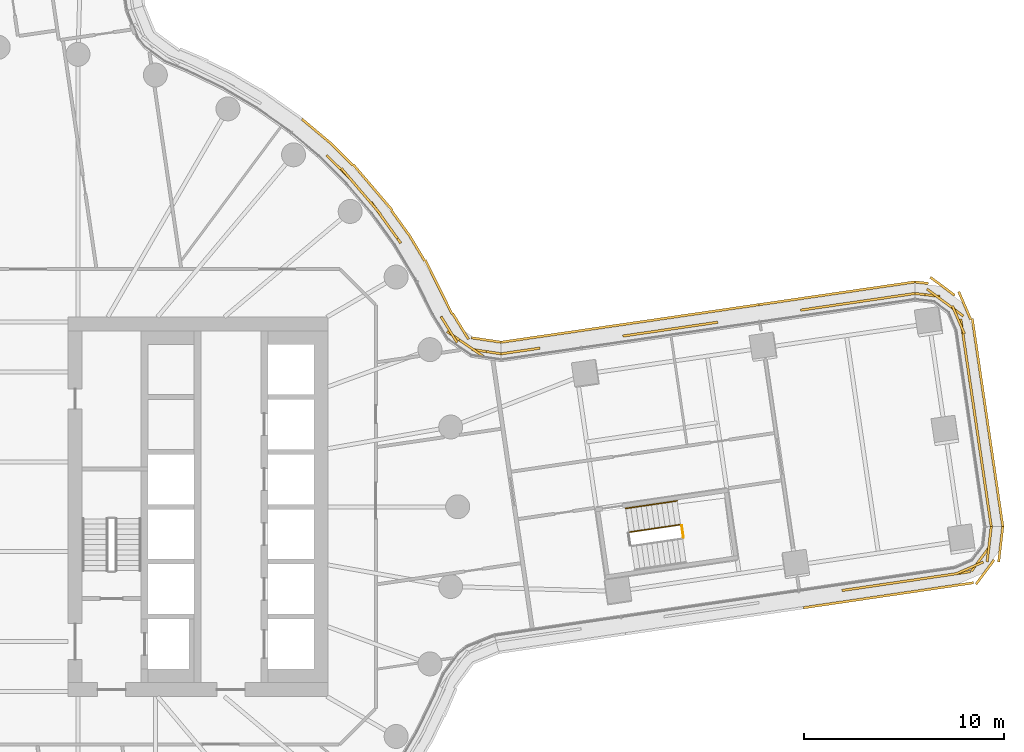
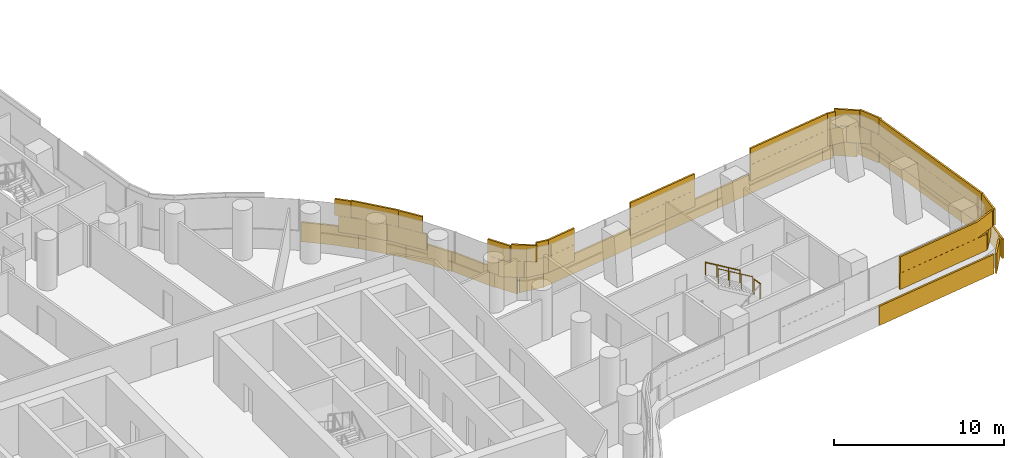
# One storey, part 29 of 31: 5 coverings, 3 railings.
"""IFC4 building model written with IfcOpenShell, lengths in metres."""

from ifc_helpers import new_model, si_unit, direction, frame, origin, origin_2d, place, context, subcontext, project, spatial, rectangle, circle, extrude, material, layer, layer_set, type_object, element, save


model = new_model("IFC4")

# Units and contexts
model_context = context("Model", 3, precision=1e-05, world=origin(), true_north=direction((0.0, 1.0)))
body_context = subcontext(model_context, "Body", "Model", "MODEL_VIEW")
ifc_project = project(units=[si_unit("LENGTHUNIT", "METRE"), si_unit("AREAUNIT", "SQUARE_METRE"), si_unit("VOLUMEUNIT", "CUBIC_METRE"), si_unit("PLANEANGLEUNIT", "RADIAN"), si_unit("MASSUNIT", "GRAM", prefix="KILO")], contexts=[model_context])

# Site, building, storey
site_placement = place(None, origin())
site = spatial("IfcSite", under=ifc_project, at=site_placement, CompositionType="ELEMENT")
building_placement = place(site_placement, origin())
building = spatial("IfcBuilding", under=site, at=building_placement, Name="Tamarind Cross Interchange Tower", CompositionType="ELEMENT")
storey_placement = place(building_placement, frame((0.0, 0.0, 64.0)))
storey = spatial("IfcBuildingStorey", under=building, at=storey_placement, Name="L14", CompositionType="ELEMENT", Elevation=64.0)

# Railings
ifc_material_1 = material(Name="Stair guard")
railing_type_1 = type_object("IfcRailingType", Name="Stair guard", PredefinedType="GUARDRAIL", material=ifc_material_1)
railing_1_placement = place(storey_placement, frame((34.302734375, -1.52783203125, 1.875)))
element("IfcRailing", 1, at=railing_1_placement, inside=storey, type_object=railing_type_1, Name="L14 ST3 stair guard 2", PredefinedType="GUARDRAIL", context=body_context, shape_type="SweptSolid", body=[
    extrude(circle(Radius=0.02392578125, at=origin_2d()), frame((0.0, 0.0, 1.076171875), z_axis=(-0.145294801093, 0.989388407439, 0.0), x_axis=(-0.989388407439, -0.145294801093, 0.0)), (0.0, 0.0, 1.0), 0.599853515625),
    extrude(circle(Radius=0.02099609375, at=origin_2d()), origin(), (0.0, 0.0, 1.0), 1.052001953125),
    extrude(circle(Radius=0.02099609375, at=origin_2d()), frame((-0.087158203125, 0.593505859375, 0.0)), (0.0, 0.0, 1.0), 1.052001953125),
])
railing_2_placement = place(storey_placement, frame((34.158935546875, -0.89208984375, 2.04541015625)))
element("IfcRailing", 2, at=railing_2_placement, inside=storey, type_object=railing_type_1, Name="L14 ST3 stair guard 3", PredefinedType="GUARDRAIL", context=body_context, shape_type="SweptSolid", body=[
    extrude(circle(Radius=0.02392578125, at=origin_2d()), frame((0.0, 0.0, 1.076171875), z_axis=(-0.82742322833, -0.121557479117, 0.548265064079), x_axis=(0.145350720335, -0.989380193908, 0.0)), (0.0, 0.0, 1.0), 3.109130859375),
    extrude(circle(Radius=0.02099609375, at=origin_2d()), origin(), (0.0, 0.0, 1.0), 1.052001953125),
    extrude(circle(Radius=0.02099609375, at=origin_2d()), frame((-0.857421875, -0.1259765625, 0.568115234375)), (0.0, 0.0, 1.0), 1.052001953125),
    extrude(circle(Radius=0.02099609375, at=origin_2d()), frame((-1.715087890625, -0.251953125, 1.136474609375)), (0.0, 0.0, 1.0), 1.052001953125),
    extrude(circle(Radius=0.02099609375, at=origin_2d()), frame((-2.572509765625, -0.3779296875, 1.70458984375)), (0.0, 0.0, 1.0), 1.052001953125),
])
ifc_material_2 = material(Name="Stair handrail")
railing_type_2 = type_object("IfcRailingType", Name="Stair handrail", PredefinedType="HANDRAIL", material=ifc_material_2)
railing_3_placement = place(storey_placement, frame((33.984375, 0.295166015625, 2.04541015625)))
element("IfcRailing", 3, at=railing_3_placement, inside=storey, type_object=railing_type_2, Name="L14 ST3 stair handrail 2", PredefinedType="HANDRAIL", context=body_context, shape_type="SweptSolid", body=[
    extrude(circle(Radius=0.02392578125, at=origin_2d()), frame((0.0, 0.0, 0.8759765625), z_axis=(-0.827398461266, -0.121565377566, 0.548300688739), x_axis=(0.145364224463, -0.989378209911, 0.0)), (0.0, 0.0, 1.0), 3.10888671875),
    extrude(circle(Radius=0.02099609375, at=origin_2d()), origin(), (0.0, 0.0, 1.0), 0.851806640625),
    extrude(circle(Radius=0.02099609375, at=origin_2d()), frame((-0.857421875, -0.1259765625, 0.568115234375)), (0.0, 0.0, 1.0), 0.851806640625),
    extrude(circle(Radius=0.02099609375, at=origin_2d()), frame((-1.71484375, -0.251953125, 1.136474609375)), (0.0, 0.0, 1.0), 0.851806640625),
    extrude(circle(Radius=0.02099609375, at=origin_2d()), frame((-2.572265625, -0.3779296875, 1.70458984375)), (0.0, 0.0, 1.0), 0.851806640625),
])

# Coverings
ifc_material_3 = material(Name="Terracotta", Category="masonry")
ifc_layer = layer(ifc_material_3, 0.1201171875)
ifc_layer_set = layer_set([ifc_layer], Name="Terracotta")
covering_type = type_object("IfcCoveringType", Name="Terracotta baguette screen unit", PredefinedType="MOLDING", material=ifc_layer_set)
covering_1_placement = place(storey_placement, origin())
element("IfcCovering", 4, at=covering_1_placement, inside=storey, type_object=covering_type, Name="SCR-L14-07-02", PredefinedType="MOLDING", context=body_context, shape_type="SweptSolid", body=[
    extrude(rectangle(XDim=0.50634765625, YDim=0.1201171875, at=origin_2d()), frame((42.4814453125, -4.15673828125, 1.404052734375), z_axis=(0.0, 0.0, 1.0), x_axis=(0.989378136803, 0.14536472205, 0.0)), (0.0, 0.0, 1.0), 1.1669921875),
    extrude(rectangle(XDim=1.52001953125, YDim=0.1201171875, at=origin_2d()), frame((43.46923828125, -4.01171875, 1.404052734375), z_axis=(0.0, 0.0, 1.0), x_axis=(0.989378136803, 0.14536472205, 0.0)), (0.0, 0.0, 1.0), 1.1669921875),
    extrude(rectangle(XDim=1.52001953125, YDim=0.1201171875, at=origin_2d()), frame((44.953125, -3.793701171875, 1.404052734375), z_axis=(0.0, 0.0, 1.0), x_axis=(0.989378136803, 0.14536472205, 0.0)), (0.0, 0.0, 1.0), 1.1669921875),
    extrude(rectangle(XDim=1.52001953125, YDim=0.1201171875, at=origin_2d()), frame((46.437255859375, -3.57568359375, 1.404052734375), z_axis=(0.0, 0.0, 1.0), x_axis=(0.989378136803, 0.14536472205, 0.0)), (0.0, 0.0, 1.0), 1.1669921875),
    extrude(rectangle(XDim=1.52001953125, YDim=0.1201171875, at=origin_2d()), frame((47.92138671875, -3.357666015625, 1.404052734375), z_axis=(0.0, 0.0, 1.0), x_axis=(0.989378136803, 0.14536472205, 0.0)), (0.0, 0.0, 1.0), 1.1669921875),
    extrude(rectangle(XDim=1.52001953125, YDim=0.1201171875, at=origin_2d()), frame((49.175048828125, -2.61279296875, 1.404052734375), z_axis=(0.0, 0.0, 1.0), x_axis=(0.596807608984, 0.802384370398, 0.0)), (0.0, 0.0, 1.0), 1.1669921875),
    extrude(rectangle(XDim=1.0224609375, YDim=0.1201171875, at=origin_2d()), frame((49.65283203125, -1.4970703125, 1.404052734375), z_axis=(0.0, 0.0, 1.0), x_axis=(0.115658365354, 0.993289052856, 0.0)), (0.0, 0.0, 1.0), 1.1669921875),
    extrude(rectangle(XDim=1.25634765625, YDim=0.1201171875, at=origin_2d()), frame((42.8525390625, -4.102294921875, 2.5791015625), z_axis=(0.0, 0.0, 1.0), x_axis=(0.989378136803, 0.14536472205, 0.0)), (0.0, 0.0, 1.0), 1.1669921875),
    extrude(rectangle(XDim=1.52001953125, YDim=0.1201171875, at=origin_2d()), frame((44.211181640625, -3.90283203125, 2.5791015625), z_axis=(0.0, 0.0, 1.0), x_axis=(0.989378136803, 0.14536472205, 0.0)), (0.0, 0.0, 1.0), 1.1669921875),
    extrude(rectangle(XDim=1.52001953125, YDim=0.1201171875, at=origin_2d()), frame((45.6953125, -3.6845703125, 2.5791015625), z_axis=(0.0, 0.0, 1.0), x_axis=(0.989378136803, 0.14536472205, 0.0)), (0.0, 0.0, 1.0), 1.1669921875),
    extrude(rectangle(XDim=1.52001953125, YDim=0.1201171875, at=origin_2d()), frame((47.179443359375, -3.466552734375, 2.5791015625), z_axis=(0.0, 0.0, 1.0), x_axis=(0.989378136803, 0.14536472205, 0.0)), (0.0, 0.0, 1.0), 1.1669921875),
    extrude(rectangle(XDim=1.52001953125, YDim=0.1201171875, at=origin_2d()), frame((48.612548828125, -3.0693359375, 2.5791015625), z_axis=(0.0, 0.0, 1.0), x_axis=(0.918042735751, 0.396481443872, 0.0)), (0.0, 0.0, 1.0), 1.1669921875),
    extrude(rectangle(XDim=1.52001953125, YDim=0.1201171875, at=origin_2d()), frame((49.594482421875, -1.999755859375, 2.5791015625), z_axis=(0.0, 0.0, 1.0), x_axis=(0.115658365354, 0.993289052856, 0.0)), (0.0, 0.0, 1.0), 1.1669921875),
    extrude(rectangle(XDim=0.2724609375, YDim=0.1201171875, at=origin_2d()), frame((49.6962890625, -1.12451171875, 2.5791015625), z_axis=(0.0, 0.0, 1.0), x_axis=(0.115658365354, 0.993289052856, 0.0)), (0.0, 0.0, 1.0), 1.1669921875),
    extrude(rectangle(XDim=1.10205078125, YDim=0.1201171875, at=origin_2d()), frame((40.859375, -4.975341796875, 0.00390625), z_axis=(0.0, 0.0, 1.0), x_axis=(0.989378136803, 0.14536472205, 0.0)), (0.0, 0.0, 1.0), 1.39208984375),
    extrude(rectangle(XDim=1.52001953125, YDim=0.1201171875, at=origin_2d()), frame((42.13671875, -4.78759765625, 0.00390625), z_axis=(0.0, 0.0, 1.0), x_axis=(0.989378136803, 0.14536472205, 0.0)), (0.0, 0.0, 1.0), 1.39208984375),
    extrude(rectangle(XDim=1.52001953125, YDim=0.1201171875, at=origin_2d()), frame((43.620849609375, -4.569580078125, 0.00390625), z_axis=(0.0, 0.0, 1.0), x_axis=(0.989378136803, 0.14536472205, 0.0)), (0.0, 0.0, 1.0), 1.39208984375),
    extrude(rectangle(XDim=1.52001953125, YDim=0.1201171875, at=origin_2d()), frame((45.10498046875, -4.3515625, 0.00390625), z_axis=(0.0, 0.0, 1.0), x_axis=(0.989378136803, 0.14536472205, 0.0)), (0.0, 0.0, 1.0), 1.39208984375),
    extrude(rectangle(XDim=1.52001953125, YDim=0.1201171875, at=origin_2d()), frame((46.5888671875, -4.133544921875, 0.00390625), z_axis=(0.0, 0.0, 1.0), x_axis=(0.989378136803, 0.14536472205, 0.0)), (0.0, 0.0, 1.0), 1.39208984375),
    extrude(rectangle(XDim=1.52001953125, YDim=0.1201171875, at=origin_2d()), frame((48.072998046875, -3.91552734375, 0.00390625), z_axis=(0.0, 0.0, 1.0), x_axis=(0.989378136803, 0.14536472205, 0.0)), (0.0, 0.0, 1.0), 1.39208984375),
    extrude(rectangle(XDim=1.52001953125, YDim=0.1201171875, at=origin_2d()), frame((49.403076171875, -3.26806640625, 0.00390625), z_axis=(0.0, 0.0, 1.0), x_axis=(0.596807608984, 0.802384370398, 0.0)), (0.0, 0.0, 1.0), 1.39208984375),
    extrude(rectangle(XDim=1.52001953125, YDim=0.1201171875, at=origin_2d()), frame((50.170654296875, -2.013916015625, 0.00390625), z_axis=(0.0, 0.0, 1.0), x_axis=(0.115658365354, 0.993289052856, 0.0)), (0.0, 0.0, 1.0), 1.39208984375),
    extrude(rectangle(XDim=0.29541015625, YDim=0.1201171875, at=origin_2d()), frame((50.273193359375, -1.13232421875, 0.00390625), z_axis=(0.0, 0.0, 1.0), x_axis=(0.115658365354, 0.993289052856, 0.0)), (0.0, 0.0, 1.0), 1.39208984375),
])
covering_2_placement = place(storey_placement, origin())
element("IfcCovering", 5, at=covering_2_placement, inside=storey, type_object=covering_type, Name="SCR-L14-08-00", PredefinedType="MOLDING", context=body_context, shape_type="SweptSolid", body=[
    extrude(rectangle(XDim=1.510009765625, YDim=0.1201171875, at=origin_2d()), frame((49.6025390625, -0.252197265625, 1.404052734375), z_axis=(0.0, 0.0, 1.0), x_axis=(-0.14536472205, 0.989378136803, 0.0)), (0.0, 0.0, 1.0), 1.1669921875),
    extrude(rectangle(XDim=1.52001953125, YDim=0.1201171875, at=origin_2d()), frame((49.384521484375, 1.23193359375, 1.404052734375), z_axis=(0.0, 0.0, 1.0), x_axis=(-0.14536472205, 0.989378136803, 0.0)), (0.0, 0.0, 1.0), 1.1669921875),
    extrude(rectangle(XDim=1.52001953125, YDim=0.1201171875, at=origin_2d()), frame((49.166259765625, 2.716064453125, 1.404052734375), z_axis=(0.0, 0.0, 1.0), x_axis=(-0.14536472205, 0.989378136803, 0.0)), (0.0, 0.0, 1.0), 1.1669921875),
    extrude(rectangle(XDim=1.52001953125, YDim=0.1201171875, at=origin_2d()), frame((48.9482421875, 4.2001953125, 1.404052734375), z_axis=(0.0, 0.0, 1.0), x_axis=(-0.14536472205, 0.989378136803, 0.0)), (0.0, 0.0, 1.0), 1.1669921875),
    extrude(rectangle(XDim=1.52001953125, YDim=0.1201171875, at=origin_2d()), frame((48.730224609375, 5.68408203125, 1.404052734375), z_axis=(0.0, 0.0, 1.0), x_axis=(-0.14536472205, 0.989378136803, 0.0)), (0.0, 0.0, 1.0), 1.1669921875),
    extrude(rectangle(XDim=1.52001953125, YDim=0.1201171875, at=origin_2d()), frame((48.51220703125, 7.168212890625, 1.404052734375), z_axis=(0.0, 0.0, 1.0), x_axis=(-0.14536472205, 0.989378136803, 0.0)), (0.0, 0.0, 1.0), 1.1669921875),
    extrude(rectangle(XDim=1.52001953125, YDim=0.1201171875, at=origin_2d()), frame((48.294189453125, 8.65234375, 1.404052734375), z_axis=(0.0, 0.0, 1.0), x_axis=(-0.14536472205, 0.989378136803, 0.0)), (0.0, 0.0, 1.0), 1.1669921875),
    extrude(rectangle(XDim=1.52001953125, YDim=0.1201171875, at=origin_2d()), frame((47.705322265625, 9.9990234375, 1.404052734375), z_axis=(0.0, 0.0, 1.0), x_axis=(-0.802384370398, 0.596807608984, 0.0)), (0.0, 0.0, 1.0), 1.1669921875),
    extrude(rectangle(XDim=1.259521484375, YDim=0.1201171875, at=origin_2d()), frame((46.516845703125, 10.604736328125, 1.404052734375), z_axis=(0.0, 0.0, 1.0), x_axis=(-0.993289052856, 0.115658365354, 0.0)), (0.0, 0.0, 1.0), 1.1669921875),
    extrude(rectangle(XDim=0.760009765625, YDim=0.1201171875, at=origin_2d()), frame((49.656982421875, -0.623046875, 2.5791015625), z_axis=(0.0, 0.0, 1.0), x_axis=(-0.14536472205, 0.989378136803, 0.0)), (0.0, 0.0, 1.0), 1.1669921875),
    extrude(rectangle(XDim=1.52001953125, YDim=0.1201171875, at=origin_2d()), frame((49.493408203125, 0.489990234375, 2.5791015625), z_axis=(0.0, 0.0, 1.0), x_axis=(-0.14536472205, 0.989378136803, 0.0)), (0.0, 0.0, 1.0), 1.1669921875),
    extrude(rectangle(XDim=1.52001953125, YDim=0.1201171875, at=origin_2d()), frame((49.275390625, 1.97412109375, 2.5791015625), z_axis=(0.0, 0.0, 1.0), x_axis=(-0.14536472205, 0.989378136803, 0.0)), (0.0, 0.0, 1.0), 1.1669921875),
    extrude(rectangle(XDim=1.52001953125, YDim=0.1201171875, at=origin_2d()), frame((49.057373046875, 3.4580078125, 2.5791015625), z_axis=(0.0, 0.0, 1.0), x_axis=(-0.14536472205, 0.989378136803, 0.0)), (0.0, 0.0, 1.0), 1.1669921875),
    extrude(rectangle(XDim=1.52001953125, YDim=0.1201171875, at=origin_2d()), frame((48.83935546875, 4.942138671875, 2.5791015625), z_axis=(0.0, 0.0, 1.0), x_axis=(-0.14536472205, 0.989378136803, 0.0)), (0.0, 0.0, 1.0), 1.1669921875),
    extrude(rectangle(XDim=1.52001953125, YDim=0.1201171875, at=origin_2d()), frame((48.621337890625, 6.42626953125, 2.5791015625), z_axis=(0.0, 0.0, 1.0), x_axis=(-0.14536472205, 0.989378136803, 0.0)), (0.0, 0.0, 1.0), 1.1669921875),
    extrude(rectangle(XDim=1.52001953125, YDim=0.1201171875, at=origin_2d()), frame((48.4033203125, 7.91015625, 2.5791015625), z_axis=(0.0, 0.0, 1.0), x_axis=(-0.14536472205, 0.989378136803, 0.0)), (0.0, 0.0, 1.0), 1.1669921875),
    extrude(rectangle(XDim=1.52001953125, YDim=0.1201171875, at=origin_2d()), frame((48.065673828125, 9.3603515625, 2.5791015625), z_axis=(0.0, 0.0, 1.0), x_axis=(-0.396481443872, 0.918042735751, 0.0)), (0.0, 0.0, 1.0), 1.1669921875),
    extrude(rectangle(XDim=1.52001953125, YDim=0.1201171875, at=origin_2d()), frame((47.103515625, 10.44677734375, 2.5791015625), z_axis=(0.0, 0.0, 1.0), x_axis=(-0.802384370398, 0.596807608984, 0.0)), (0.0, 0.0, 1.0), 1.1669921875),
    extrude(rectangle(XDim=0.509521484375, YDim=0.1201171875, at=origin_2d()), frame((46.14453125, 10.648193359375, 2.5791015625), z_axis=(0.0, 0.0, 1.0), x_axis=(-0.993289052856, 0.115658365354, 0.0)), (0.0, 0.0, 1.0), 1.1669921875),
    extrude(rectangle(XDim=1.510009765625, YDim=0.1201171875, at=origin_2d()), frame((50.1806640625, -0.238525390625, 0.00390625), z_axis=(0.0, 0.0, 1.0), x_axis=(-0.14536472205, 0.989378136803, 0.0)), (0.0, 0.0, 1.0), 1.39208984375),
    extrude(rectangle(XDim=1.52001953125, YDim=0.1201171875, at=origin_2d()), frame((49.96337890625, 1.24072265625, 0.00390625), z_axis=(0.0, 0.0, 1.0), x_axis=(-0.14536472205, 0.989378136803, 0.0)), (0.0, 0.0, 1.0), 1.39208984375),
    extrude(rectangle(XDim=1.52001953125, YDim=0.1201171875, at=origin_2d()), frame((49.745361328125, 2.724609375, 0.00390625), z_axis=(0.0, 0.0, 1.0), x_axis=(-0.14536472205, 0.989378136803, 0.0)), (0.0, 0.0, 1.0), 1.39208984375),
    extrude(rectangle(XDim=1.52001953125, YDim=0.1201171875, at=origin_2d()), frame((49.527099609375, 4.208740234375, 0.00390625), z_axis=(0.0, 0.0, 1.0), x_axis=(-0.14536472205, 0.989378136803, 0.0)), (0.0, 0.0, 1.0), 1.39208984375),
    extrude(rectangle(XDim=1.52001953125, YDim=0.1201171875, at=origin_2d()), frame((49.30908203125, 5.69287109375, 0.00390625), z_axis=(0.0, 0.0, 1.0), x_axis=(-0.14536472205, 0.989378136803, 0.0)), (0.0, 0.0, 1.0), 1.39208984375),
    extrude(rectangle(XDim=1.52001953125, YDim=0.1201171875, at=origin_2d()), frame((49.091064453125, 7.177001953125, 0.00390625), z_axis=(0.0, 0.0, 1.0), x_axis=(-0.14536472205, 0.989378136803, 0.0)), (0.0, 0.0, 1.0), 1.39208984375),
    extrude(rectangle(XDim=1.52001953125, YDim=0.1201171875, at=origin_2d()), frame((48.873046875, 8.660888671875, 0.00390625), z_axis=(0.0, 0.0, 1.0), x_axis=(-0.14536472205, 0.989378136803, 0.0)), (0.0, 0.0, 1.0), 1.39208984375),
    extrude(rectangle(XDim=1.52001953125, YDim=0.1201171875, at=origin_2d()), frame((48.385009765625, 10.068359375, 0.00390625), z_axis=(0.0, 0.0, 1.0), x_axis=(-0.396481443872, 0.918042735751, 0.0)), (0.0, 0.0, 1.0), 1.39208984375),
    extrude(rectangle(XDim=1.52001953125, YDim=0.1201171875, at=origin_2d()), frame((47.27294921875, 11.035888671875, 0.00390625), z_axis=(0.0, 0.0, 1.0), x_axis=(-0.802384370398, 0.596807608984, 0.0)), (0.0, 0.0, 1.0), 1.39208984375),
    extrude(rectangle(XDim=0.6767578125, YDim=0.1201171875, at=origin_2d()), frame((46.22412109375, 11.216796875, 0.00390625), z_axis=(0.0, 0.0, 1.0), x_axis=(-0.993289052856, 0.115658365354, 0.0)), (0.0, 0.0, 1.0), 1.39208984375),
])
covering_3_placement = place(storey_placement, origin())
element("IfcCovering", 6, at=covering_3_placement, inside=storey, type_object=covering_type, Name="SCR-L14-09-00", PredefinedType="MOLDING", context=body_context, shape_type="SweptSolid", body=[
    extrude(rectangle(XDim=1.510009765625, YDim=0.1201171875, at=origin_2d()), frame((45.154052734375, 10.56884765625, 1.404052734375), z_axis=(0.0, 0.0, 1.0), x_axis=(-0.989550497642, -0.144186728298, 0.0)), (0.0, 0.0, 1.0), 1.1669921875),
    extrude(rectangle(XDim=1.52001953125, YDim=0.1201171875, at=origin_2d()), frame((43.669921875, 10.3525390625, 1.404052734375), z_axis=(0.0, 0.0, 1.0), x_axis=(-0.989550497642, -0.144186728298, 0.0)), (0.0, 0.0, 1.0), 1.1669921875),
    extrude(rectangle(XDim=1.52001953125, YDim=0.1201171875, at=origin_2d()), frame((42.185546875, 10.136474609375, 1.404052734375), z_axis=(0.0, 0.0, 1.0), x_axis=(-0.989550497642, -0.144186728298, 0.0)), (0.0, 0.0, 1.0), 1.1669921875),
    extrude(rectangle(XDim=1.2919921875, YDim=0.1201171875, at=origin_2d()), frame((40.80908203125, 9.935791015625, 1.404052734375), z_axis=(0.0, 0.0, 1.0), x_axis=(-0.989550497642, -0.144186728298, 0.0)), (0.0, 0.0, 1.0), 1.1669921875),
    extrude(rectangle(XDim=0.760009765625, YDim=0.1201171875, at=origin_2d()), frame((45.525146484375, 10.623046875, 2.5791015625), z_axis=(0.0, 0.0, 1.0), x_axis=(-0.989550497642, -0.144186728298, 0.0)), (0.0, 0.0, 1.0), 1.1669921875),
    extrude(rectangle(XDim=1.52001953125, YDim=0.1201171875, at=origin_2d()), frame((44.411865234375, 10.460693359375, 2.5791015625), z_axis=(0.0, 0.0, 1.0), x_axis=(-0.989550497642, -0.144186728298, 0.0)), (0.0, 0.0, 1.0), 1.1669921875),
    extrude(rectangle(XDim=1.52001953125, YDim=0.1201171875, at=origin_2d()), frame((42.927734375, 10.24462890625, 2.5791015625), z_axis=(0.0, 0.0, 1.0), x_axis=(-0.989550497642, -0.144186728298, 0.0)), (0.0, 0.0, 1.0), 1.1669921875),
    extrude(rectangle(XDim=1.52001953125, YDim=0.1201171875, at=origin_2d()), frame((41.443359375, 10.0283203125, 2.5791015625), z_axis=(0.0, 0.0, 1.0), x_axis=(-0.989550497642, -0.144186728298, 0.0)), (0.0, 0.0, 1.0), 1.1669921875),
    extrude(rectangle(XDim=0.5419921875, YDim=0.1201171875, at=origin_2d()), frame((40.43798828125, 9.8818359375, 2.5791015625), z_axis=(0.0, 0.0, 1.0), x_axis=(-0.989550497642, -0.144186728298, 0.0)), (0.0, 0.0, 1.0), 1.1669921875),
    extrude(rectangle(XDim=1.510009765625, YDim=0.1201171875, at=origin_2d()), frame((45.140869140625, 11.14697265625, 0.00390625), z_axis=(0.0, 0.0, 1.0), x_axis=(-0.989550497642, -0.144186728298, 0.0)), (0.0, 0.0, 1.0), 1.39208984375),
    extrude(rectangle(XDim=1.52001953125, YDim=0.1201171875, at=origin_2d()), frame((43.661376953125, 10.931396484375, 0.00390625), z_axis=(0.0, 0.0, 1.0), x_axis=(-0.989550497642, -0.144186728298, 0.0)), (0.0, 0.0, 1.0), 1.39208984375),
    extrude(rectangle(XDim=1.52001953125, YDim=0.1201171875, at=origin_2d()), frame((42.17724609375, 10.71533203125, 0.00390625), z_axis=(0.0, 0.0, 1.0), x_axis=(-0.989550497642, -0.144186728298, 0.0)), (0.0, 0.0, 1.0), 1.39208984375),
    extrude(rectangle(XDim=1.52001953125, YDim=0.1201171875, at=origin_2d()), frame((40.69287109375, 10.4990234375, 0.00390625), z_axis=(0.0, 0.0, 1.0), x_axis=(-0.989550497642, -0.144186728298, 0.0)), (0.0, 0.0, 1.0), 1.39208984375),
    extrude(rectangle(XDim=1.52001953125, YDim=0.1201171875, at=origin_2d()), frame((39.20849609375, 10.28271484375, 0.00390625), z_axis=(0.0, 0.0, 1.0), x_axis=(-0.989550497642, -0.144186728298, 0.0)), (0.0, 0.0, 1.0), 1.39208984375),
    extrude(rectangle(XDim=0.388671875, YDim=0.1201171875, at=origin_2d()), frame((38.283935546875, 10.14794921875, 0.00390625), z_axis=(0.0, 0.0, 1.0), x_axis=(-0.989550497642, -0.144186728298, 0.0)), (0.0, 0.0, 1.0), 1.39208984375),
])
covering_4_placement = place(storey_placement, origin())
element("IfcCovering", 7, at=covering_4_placement, inside=storey, type_object=covering_type, Name="SCR-L14-09-01", PredefinedType="MOLDING", context=body_context, shape_type="SweptSolid", body=[
    extrude(rectangle(XDim=0.52783203125, YDim=0.1201171875, at=origin_2d()), frame((35.76220703125, 9.200439453125, 1.404052734375), z_axis=(0.0, 0.0, 1.0), x_axis=(-0.989550497642, -0.144186728298, 0.0)), (0.0, 0.0, 1.0), 1.1669921875),
    extrude(rectangle(XDim=1.52001953125, YDim=0.1201171875, at=origin_2d()), frame((34.763916015625, 9.054931640625, 1.404052734375), z_axis=(0.0, 0.0, 1.0), x_axis=(-0.989550497642, -0.144186728298, 0.0)), (0.0, 0.0, 1.0), 1.1669921875),
    extrude(rectangle(XDim=1.52001953125, YDim=0.1201171875, at=origin_2d()), frame((33.279541015625, 8.838623046875, 1.404052734375), z_axis=(0.0, 0.0, 1.0), x_axis=(-0.989550497642, -0.144186728298, 0.0)), (0.0, 0.0, 1.0), 1.1669921875),
    extrude(rectangle(XDim=1.29150390625, YDim=0.1201171875, at=origin_2d()), frame((31.9033203125, 8.63818359375, 1.404052734375), z_axis=(0.0, 0.0, 1.0), x_axis=(-0.989550497642, -0.144186728298, 0.0)), (0.0, 0.0, 1.0), 1.1669921875),
    extrude(rectangle(XDim=0.528564453125, YDim=0.1201171875, at=origin_2d()), frame((26.856689453125, 7.90283203125, 1.404052734375), z_axis=(0.0, 0.0, 1.0), x_axis=(-0.989550497642, -0.144186728298, 0.0)), (0.0, 0.0, 1.0), 1.1669921875),
    extrude(rectangle(XDim=1.447509765625, YDim=0.1201171875, at=origin_2d()), frame((25.888916015625, 7.76171875, 1.404052734375), z_axis=(0.0, 0.0, 1.0), x_axis=(-0.989550497642, -0.144186728298, 0.0)), (0.0, 0.0, 1.0), 1.1669921875),
    extrude(rectangle(XDim=1.27783203125, YDim=0.1201171875, at=origin_2d()), frame((35.39111328125, 9.146484375, 2.5791015625), z_axis=(0.0, 0.0, 1.0), x_axis=(-0.989550497642, -0.144186728298, 0.0)), (0.0, 0.0, 1.0), 1.1669921875),
    extrude(rectangle(XDim=1.52001953125, YDim=0.1201171875, at=origin_2d()), frame((34.021728515625, 8.94677734375, 2.5791015625), z_axis=(0.0, 0.0, 1.0), x_axis=(-0.989550497642, -0.144186728298, 0.0)), (0.0, 0.0, 1.0), 1.1669921875),
    extrude(rectangle(XDim=1.52001953125, YDim=0.1201171875, at=origin_2d()), frame((32.537353515625, 8.73046875, 2.5791015625), z_axis=(0.0, 0.0, 1.0), x_axis=(-0.989550497642, -0.144186728298, 0.0)), (0.0, 0.0, 1.0), 1.1669921875),
    extrude(rectangle(XDim=0.54150390625, YDim=0.1201171875, at=origin_2d()), frame((31.5322265625, 8.583984375, 2.5791015625), z_axis=(0.0, 0.0, 1.0), x_axis=(-0.989550497642, -0.144186728298, 0.0)), (0.0, 0.0, 1.0), 1.1669921875),
    extrude(rectangle(XDim=1.278564453125, YDim=0.1201171875, at=origin_2d()), frame((26.485595703125, 7.8486328125, 2.5791015625), z_axis=(0.0, 0.0, 1.0), x_axis=(-0.989550497642, -0.144186728298, 0.0)), (0.0, 0.0, 1.0), 1.1669921875),
    extrude(rectangle(XDim=0.697509765625, YDim=0.1201171875, at=origin_2d()), frame((25.517822265625, 7.707763671875, 2.5791015625), z_axis=(0.0, 0.0, 1.0), x_axis=(-0.989550497642, -0.144186728298, 0.0)), (0.0, 0.0, 1.0), 1.1669921875),
    extrude(rectangle(XDim=1.13134765625, YDim=0.1201171875, at=origin_2d()), frame((37.53173828125, 10.038330078125, 0.00390625), z_axis=(0.0, 0.0, 1.0), x_axis=(-0.989550497642, -0.144186728298, 0.0)), (0.0, 0.0, 1.0), 1.39208984375),
    extrude(rectangle(XDim=1.52001953125, YDim=0.1201171875, at=origin_2d()), frame((36.23974609375, 9.85009765625, 0.00390625), z_axis=(0.0, 0.0, 1.0), x_axis=(-0.989550497642, -0.144186728298, 0.0)), (0.0, 0.0, 1.0), 1.39208984375),
    extrude(rectangle(XDim=1.52001953125, YDim=0.1201171875, at=origin_2d()), frame((34.755615234375, 9.6337890625, 0.00390625), z_axis=(0.0, 0.0, 1.0), x_axis=(-0.989550497642, -0.144186728298, 0.0)), (0.0, 0.0, 1.0), 1.39208984375),
    extrude(rectangle(XDim=1.52001953125, YDim=0.1201171875, at=origin_2d()), frame((33.271240234375, 9.41748046875, 0.00390625), z_axis=(0.0, 0.0, 1.0), x_axis=(-0.989550497642, -0.144186728298, 0.0)), (0.0, 0.0, 1.0), 1.39208984375),
    extrude(rectangle(XDim=1.52001953125, YDim=0.1201171875, at=origin_2d()), frame((31.786865234375, 9.201171875, 0.00390625), z_axis=(0.0, 0.0, 1.0), x_axis=(-0.989550497642, -0.144186728298, 0.0)), (0.0, 0.0, 1.0), 1.39208984375),
    extrude(rectangle(XDim=1.52001953125, YDim=0.1201171875, at=origin_2d()), frame((30.302490234375, 8.98486328125, 0.00390625), z_axis=(0.0, 0.0, 1.0), x_axis=(-0.989550497642, -0.144186728298, 0.0)), (0.0, 0.0, 1.0), 1.39208984375),
    extrude(rectangle(XDim=1.52001953125, YDim=0.1201171875, at=origin_2d()), frame((28.818115234375, 8.768798828125, 0.00390625), z_axis=(0.0, 0.0, 1.0), x_axis=(-0.989550497642, -0.144186728298, 0.0)), (0.0, 0.0, 1.0), 1.39208984375),
    extrude(rectangle(XDim=1.52001953125, YDim=0.1201171875, at=origin_2d()), frame((27.333984375, 8.552490234375, 0.00390625), z_axis=(0.0, 0.0, 1.0), x_axis=(-0.989550497642, -0.144186728298, 0.0)), (0.0, 0.0, 1.0), 1.39208984375),
    extrude(rectangle(XDim=1.4384765625, YDim=0.1201171875, at=origin_2d()), frame((25.889892578125, 8.342041015625, 0.00390625), z_axis=(0.0, 0.0, 1.0), x_axis=(-0.989550497642, -0.144186728298, 0.0)), (0.0, 0.0, 1.0), 1.39208984375),
])
covering_5_placement = place(storey_placement, origin())
element("IfcCovering", 8, at=covering_5_placement, inside=storey, type_object=covering_type, Name="SCR-L14-10-00", PredefinedType="MOLDING", context=body_context, shape_type="SweptSolid", body=[
    extrude(rectangle(XDim=1.510009765625, YDim=0.1201171875, at=origin_2d()), frame((24.435546875, 7.767822265625, 1.404052734375), z_axis=(0.0, 0.0, 1.0), x_axis=(-0.98927277831, 0.146080012647, 0.0)), (0.0, 0.0, 1.0), 1.1669921875),
    extrude(rectangle(XDim=1.52001953125, YDim=0.1201171875, at=origin_2d()), frame((23.092529296875, 8.345947265625, 1.404052734375), z_axis=(0.0, 0.0, 1.0), x_axis=(-0.824947947925, 0.565208707659, 0.0)), (0.0, 0.0, 1.0), 1.1669921875),
    extrude(rectangle(XDim=0.7822265625, YDim=0.1201171875, at=origin_2d()), frame((22.37109375, 9.193603515625, 1.404052734375), z_axis=(0.0, 0.0, 1.0), x_axis=(-0.524118698665, 0.851645225261, 0.0)), (0.0, 0.0, 1.0), 1.1669921875),
    extrude(rectangle(XDim=1.037841796875, YDim=0.1201171875, at=origin_2d()), frame((19.84912109375, 13.618408203125, 1.404052734375), z_axis=(0.0, 0.0, 1.0), x_axis=(-0.584573890505, 0.811340475102, 0.0)), (0.0, 0.0, 1.0), 1.1669921875),
    extrude(rectangle(XDim=1.52001953125, YDim=0.1201171875, at=origin_2d()), frame((19.1103515625, 14.64404296875, 1.404052734375), z_axis=(0.0, 0.0, 1.0), x_axis=(-0.584573890505, 0.811340475102, 0.0)), (0.0, 0.0, 1.0), 1.1669921875),
    extrude(rectangle(XDim=1.52001953125, YDim=0.1201171875, at=origin_2d()), frame((18.154541015625, 15.798828125, 1.404052734375), z_axis=(0.0, 0.0, 1.0), x_axis=(-0.64957723968, 0.760295606781, 0.0)), (0.0, 0.0, 1.0), 1.1669921875),
    extrude(rectangle(XDim=1.52001953125, YDim=0.1201171875, at=origin_2d()), frame((17.13623046875, 16.898681640625, 1.404052734375), z_axis=(0.0, 0.0, 1.0), x_axis=(-0.710143317658, 0.704057148523, 0.0)), (0.0, 0.0, 1.0), 1.1669921875),
    extrude(rectangle(XDim=0.760009765625, YDim=0.1201171875, at=origin_2d()), frame((24.806640625, 7.712890625, 2.5791015625), z_axis=(0.0, 0.0, 1.0), x_axis=(-0.98927277831, 0.146080012647, 0.0)), (0.0, 0.0, 1.0), 1.1669921875),
    extrude(rectangle(XDim=1.52001953125, YDim=0.1201171875, at=origin_2d()), frame((23.711181640625, 7.921875, 2.5791015625), z_axis=(0.0, 0.0, 1.0), x_axis=(-0.824947947925, 0.565208707659, 0.0)), (0.0, 0.0, 1.0), 1.1669921875),
    extrude(rectangle(XDim=1.52001953125, YDim=0.1201171875, at=origin_2d()), frame((22.573486328125, 8.86474609375, 2.5791015625), z_axis=(0.0, 0.0, 1.0), x_axis=(-0.524118698665, 0.851645225261, 0.0)), (0.0, 0.0, 1.0), 1.1669921875),
    extrude(rectangle(XDim=1.52001953125, YDim=0.1201171875, at=origin_2d()), frame((19.548828125, 14.035400390625, 2.5791015625), z_axis=(0.0, 0.0, 1.0), x_axis=(-0.584573890505, 0.811340475102, 0.0)), (0.0, 0.0, 1.0), 1.1669921875),
    extrude(rectangle(XDim=1.52001953125, YDim=0.1201171875, at=origin_2d()), frame((18.641845703125, 15.228759765625, 2.5791015625), z_axis=(0.0, 0.0, 1.0), x_axis=(-0.64957723968, 0.760295606781, 0.0)), (0.0, 0.0, 1.0), 1.1669921875),
    extrude(rectangle(XDim=1.52001953125, YDim=0.1201171875, at=origin_2d()), frame((17.66748046875, 16.369140625, 2.5791015625), z_axis=(0.0, 0.0, 1.0), x_axis=(-0.64957723968, 0.760295606781, 0.0)), (0.0, 0.0, 1.0), 1.1669921875),
    extrude(rectangle(XDim=0.988525390625, YDim=0.1201171875, at=origin_2d()), frame((16.788818359375, 17.2431640625, 2.5791015625), z_axis=(0.0, 0.0, 1.0), x_axis=(-0.710143317658, 0.704057148523, 0.0)), (0.0, 0.0, 1.0), 1.1669921875),
    extrude(rectangle(XDim=1.510009765625, YDim=0.1201171875, at=origin_2d()), frame((24.43115234375, 8.3486328125, 0.00390625), z_axis=(0.0, 0.0, 1.0), x_axis=(-0.98927277831, 0.146080012647, 0.0)), (0.0, 0.0, 1.0), 1.39208984375),
    extrude(rectangle(XDim=1.52001953125, YDim=0.1201171875, at=origin_2d()), frame((23.14453125, 9.031982421875, 0.00390625), z_axis=(0.0, 0.0, 1.0), x_axis=(-0.524118698665, 0.851645225261, 0.0)), (0.0, 0.0, 1.0), 1.39208984375),
    extrude(rectangle(XDim=1.52001953125, YDim=0.1201171875, at=origin_2d()), frame((22.382568359375, 10.322998046875, 0.00390625), z_axis=(0.0, 0.0, 1.0), x_axis=(-0.443058811505, 0.896492548518, 0.0)), (0.0, 0.0, 1.0), 1.39208984375),
    extrude(rectangle(XDim=1.52001953125, YDim=0.1201171875, at=origin_2d()), frame((21.718017578125, 11.667724609375, 0.00390625), z_axis=(0.0, 0.0, 1.0), x_axis=(-0.443058811505, 0.896492548518, 0.0)), (0.0, 0.0, 1.0), 1.39208984375),
    extrude(rectangle(XDim=1.52001953125, YDim=0.1201171875, at=origin_2d()), frame((20.957763671875, 12.960205078125, 0.00390625), z_axis=(0.0, 0.0, 1.0), x_axis=(-0.515577308909, 0.856843065292, 0.0)), (0.0, 0.0, 1.0), 1.39208984375),
    extrude(rectangle(XDim=1.52001953125, YDim=0.1201171875, at=origin_2d()), frame((20.130615234375, 14.2099609375, 0.00390625), z_axis=(0.0, 0.0, 1.0), x_axis=(-0.584573890505, 0.811340475102, 0.0)), (0.0, 0.0, 1.0), 1.39208984375),
    extrude(rectangle(XDim=1.52001953125, YDim=0.1201171875, at=origin_2d()), frame((19.238037109375, 15.41455078125, 0.00390625), z_axis=(0.0, 0.0, 1.0), x_axis=(-0.64957723968, 0.760295606781, 0.0)), (0.0, 0.0, 1.0), 1.39208984375),
    extrude(rectangle(XDim=1.52001953125, YDim=0.1201171875, at=origin_2d()), frame((18.263671875, 16.554931640625, 0.00390625), z_axis=(0.0, 0.0, 1.0), x_axis=(-0.64957723968, 0.760295606781, 0.0)), (0.0, 0.0, 1.0), 1.39208984375),
    extrude(rectangle(XDim=1.52001953125, YDim=0.1201171875, at=origin_2d()), frame((17.21630859375, 17.627685546875, 0.00390625), z_axis=(0.0, 0.0, 1.0), x_axis=(-0.710143317658, 0.704057148523, 0.0)), (0.0, 0.0, 1.0), 1.39208984375),
    extrude(rectangle(XDim=1.52001953125, YDim=0.1201171875, at=origin_2d()), frame((16.114013671875, 18.64306640625, 0.00390625), z_axis=(0.0, 0.0, 1.0), x_axis=(-0.765858396687, 0.643009266048, 0.0)), (0.0, 0.0, 1.0), 1.39208984375),
    extrude(rectangle(XDim=0.44921875, YDim=0.1201171875, at=origin_2d()), frame((15.375244140625, 19.263427734375, 0.00390625), z_axis=(0.0, 0.0, 1.0), x_axis=(-0.765858396687, 0.643009266048, 0.0)), (0.0, 0.0, 1.0), 1.39208984375),
])

save(model, "model.ifc")
